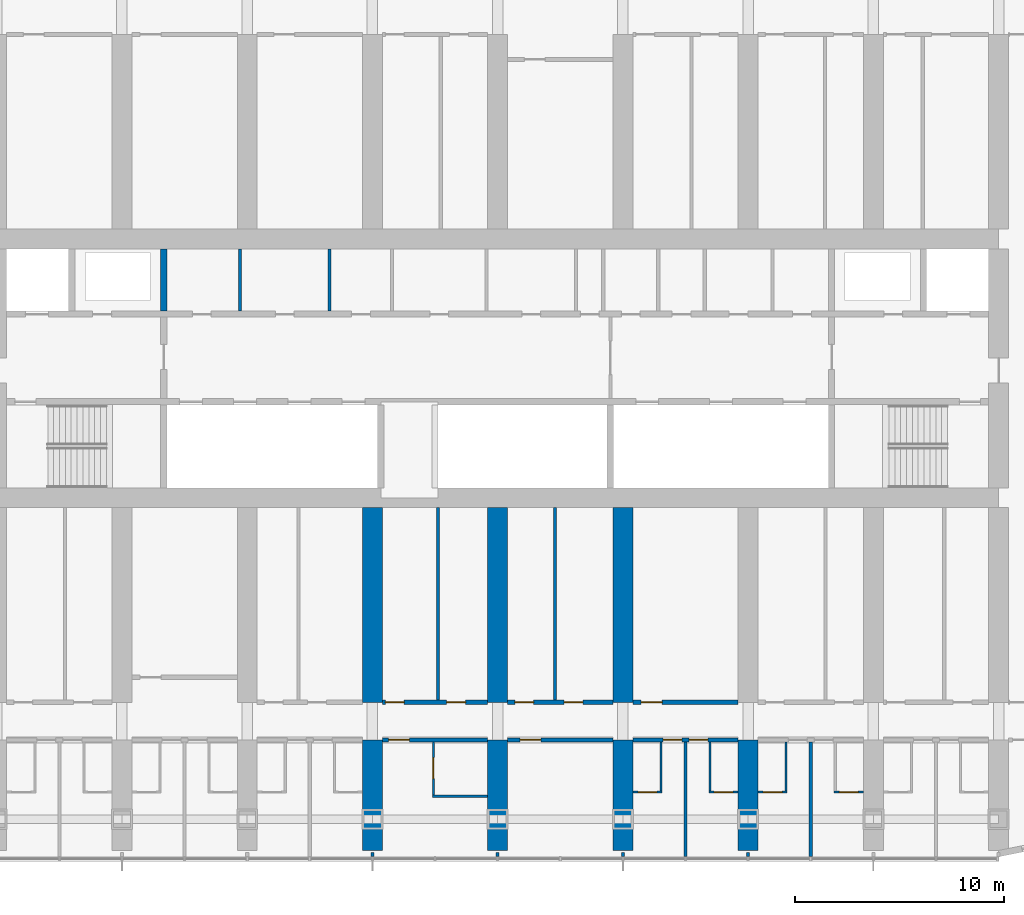
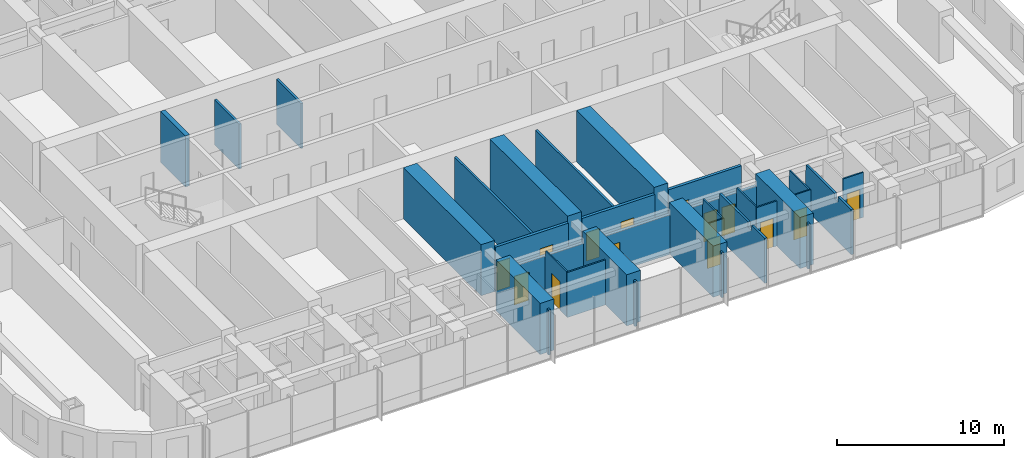
# One storey, part 10 of 22: 33 walls, 14 doors, 14 openings.
"""IFC4 building model written with IfcOpenShell, lengths in metres."""

from ifc_helpers import new_model, si_unit, direction, frame, frame_2d, origin, place, context, subcontext, project, spatial, polyline, rectangle, outline, extrude, material, layer, layer_set, type_object, element, fill, save


model = new_model("IFC4")

# Units and contexts
model_context = context("Model", 3, precision=1e-05, world=origin(), true_north=direction((0.0, 1.0)))
body_context = subcontext(model_context, "Body", "Model", "MODEL_VIEW")
ifc_project = project(units=[si_unit("LENGTHUNIT", "METRE"), si_unit("AREAUNIT", "SQUARE_METRE"), si_unit("VOLUMEUNIT", "CUBIC_METRE"), si_unit("PLANEANGLEUNIT", "RADIAN"), si_unit("MASSUNIT", "GRAM", prefix="KILO")], contexts=[model_context])

# Site, building, storey
site_placement = place(None, origin())
site = spatial("IfcSite", under=ifc_project, at=site_placement, CompositionType="ELEMENT")
building_placement = place(site_placement, origin())
building = spatial("IfcBuilding", under=site, at=building_placement, Name="Orbita Commons", CompositionType="ELEMENT")
storey_placement = place(building_placement, frame((0.0, 0.0, 80.64990234375)))
storey = spatial("IfcBuildingStorey", under=building, at=storey_placement, Name="L19", CompositionType="ELEMENT", Elevation=80.64990234375)

# Walls
ifc_material_1 = material(Name="Concrete C50/60", Category="concrete")
ifc_layer_1 = layer(ifc_material_1, 0.300048828125)
ifc_layer_set_1 = layer_set([ifc_layer_1], Name="Concrete C50/60")
wall_type_1 = type_object("IfcWallType", Name="Core inner wall 300 C50/60", PredefinedType="SHEAR", material=ifc_layer_set_1)
wall_1_placement = place(storey_placement, frame((26.0, 34.75, 0.0), z_axis=(0.0, 0.0, 1.0), x_axis=(0.0, 1.0, 0.0)))
element("IfcWall", 1, at=wall_1_placement, inside=storey, type_object=wall_type_1, Name="Riser wall west L19", PredefinedType="SHEAR", context=body_context, shape_type="SweptSolid", body=[
    extrude(rectangle(XDim=2.97509765625, YDim=0.300048828125, at=frame_2d((1.487548828125, 0.0))), origin(), (0.0, 0.0, 1.0), 3.75),
])
ifc_material_2 = material(Name="Concrete blockwork", Category="masonry")
ifc_layer_2 = layer(ifc_material_2, 0.14990234375)
ifc_layer_set_2 = layer_set([ifc_layer_2], Name="Concrete blockwork")
wall_type_2 = type_object("IfcWallType", Name="Core partition 150 blockwork", PredefinedType="SOLIDWALL", material=ifc_layer_set_2)
for number, where, z_axis, x_axis, name in (
    (2, (29.65087890625, 34.75, 0.0), (0.0, 0.0, 1.0), (0.0, 1.0, 0.0), "Core partition 150 blockwork L19"),
    (3, (33.9462890625, 34.75, 0.0), (0.0, 0.0, 1.0), (0.0, 1.0, 0.0), "Core partition 150 blockwork L19"),
):
    element("IfcWall", number, at=place(storey_placement, frame(where, z_axis=z_axis, x_axis=x_axis)), inside=storey, type_object=wall_type_2, Name=name, PredefinedType="SOLIDWALL", context=body_context, shape_type="SweptSolid", body=[
        extrude(rectangle(XDim=2.97509765625, YDim=0.14990234375, at=frame_2d((1.487548828125, 0.0))), origin(), (0.0, 0.0, 1.0), 3.300048828125),
    ])

# Wall, opening, door
ifc_material_3 = material(Name="Concrete blockwork", Category="masonry")
ifc_layer_3 = layer(ifc_material_3, 0.199951171875)
ifc_layer_set_3 = layer_set([ifc_layer_3], Name="Concrete blockwork")
wall_type_3 = type_object("IfcWallType", Name="Corridor wall 200 blockwork", PredefinedType="SOLIDWALL", material=ifc_layer_set_3)
wall_2_placement = place(storey_placement, frame((36.47509765625, 14.199951171875, 0.0), z_axis=(0.0, 0.0, 1.0), x_axis=(1.0, 0.0, 0.0)))
wall_2 = element("IfcWall", 4, at=wall_2_placement, inside=storey, type_object=wall_type_3, Name="Corridor wall 200 blockwork L19", PredefinedType="SOLIDWALL", context=body_context, shape_type="SweptSolid", body=[
    extrude(outline(polyline([(0.0, 0.0), (5.0498046875, 0.0), (5.050048828125, 2.900146484375), (0.0, 2.900146484375), (0.0, 0.0)])), frame((0.0, 0.10009765625, 0.0), z_axis=(0.0, -1.0, 0.0), x_axis=(1.0, 0.0, 0.0)), (0.0, 0.0, 1.0), 0.199951171875),
])
opening_1_placement = place(wall_2_placement, frame((0.300048828125, 0.0, 0.0)))
opening_1 = element("IfcOpeningElement", 5, at=opening_1_placement, cuts=wall_2, Name="Opening D06", PredefinedType="OPENING", context=body_context, shape_type="SweptSolid", body=[
    extrude(rectangle(XDim=1.0, YDim=2.10009765625, at=frame_2d((0.5, 1.050048828125))), frame((0.0, 0.10986328125, 0.0), z_axis=(0.0, -1.0, 0.0), x_axis=(1.0, 0.0, 0.0)), (0.0, 0.0, 1.0), 0.219970703125),
])
ifc_material_4 = material(Name="Steel-faced fire door leaf", Category="steel")
door_type_1 = type_object("IfcDoorType", Name="Corridor door 20 min 1000x2100", OperationType="SINGLE_SWING_LEFT", PredefinedType="DOOR", material=ifc_material_4)
door_1_placement = place(opening_1_placement, origin())
door_1 = element("IfcDoor", 6, at=door_1_placement, inside=storey, type_object=door_type_1, Name="Accessible bedroom L19-S08 door", OperationType="SINGLE_SWING_LEFT", OverallHeight=2.10009765625, OverallWidth=1.0, PredefinedType="DOOR", context=body_context, shape_type="SweptSolid", body=[
    extrude(rectangle(XDim=1.0, YDim=2.10009765625, at=frame_2d((0.5, 1.050048828125))), frame((0.0, 0.02490234375, 0.0), z_axis=(0.0, -1.0, 0.0), x_axis=(1.0, 0.0, 0.0)), (0.0, 0.0, 1.0), 0.050048828125),
])
fill(opening_1, door_1)

wall_3_placement = place(storey_placement, frame((42.47509765625, 14.199951171875, 0.0), z_axis=(0.0, 0.0, 1.0), x_axis=(1.0, 0.0, 0.0)))
wall_3 = element("IfcWall", 7, at=wall_3_placement, inside=storey, type_object=wall_type_3, Name="Corridor wall 200 blockwork L19", PredefinedType="SOLIDWALL", context=body_context, shape_type="SweptSolid", body=[
    extrude(outline(polyline([(0.0, 0.0), (5.0498046875, 0.0), (5.050048828125, 2.900146484375), (0.0, 2.900146484375), (0.0, 0.0)])), frame((0.0, 0.10009765625, 0.0), z_axis=(0.0, -1.0, 0.0), x_axis=(1.0, 0.0, 0.0)), (0.0, 0.0, 1.0), 0.199951171875),
])
opening_2_placement = place(wall_3_placement, frame((0.60009765625, 0.0, 0.0)))
opening_2 = element("IfcOpeningElement", 8, at=opening_2_placement, cuts=wall_3, Name="Opening D06", PredefinedType="OPENING", context=body_context, shape_type="SweptSolid", body=[
    extrude(rectangle(XDim=1.0, YDim=2.10009765625, at=frame_2d((0.5, 1.050048828125))), frame((0.0, 0.10986328125, 0.0), z_axis=(0.0, -1.0, 0.0), x_axis=(1.0, 0.0, 0.0)), (0.0, 0.0, 1.0), 0.219970703125),
])
door_2_placement = place(opening_2_placement, origin())
door_2 = element("IfcDoor", 9, at=door_2_placement, inside=storey, type_object=door_type_1, Name="Cluster kitchen-diner L19-S10 door", OperationType="SINGLE_SWING_LEFT", OverallHeight=2.10009765625, OverallWidth=1.0, PredefinedType="DOOR", context=body_context, shape_type="SweptSolid", body=[
    extrude(rectangle(XDim=1.0, YDim=2.10009765625, at=frame_2d((0.5, 1.050048828125))), frame((0.0, 0.02490234375, 0.0), z_axis=(0.0, -1.0, 0.0), x_axis=(1.0, 0.0, 0.0)), (0.0, 0.0, 1.0), 0.050048828125),
])
fill(opening_2, door_2)

# Wall, openings, doors
wall_4_placement = place(storey_placement, frame((48.47509765625, 14.199951171875, 0.0), z_axis=(0.0, 0.0, 1.0), x_axis=(1.0, 0.0, 0.0)))
wall_4 = element("IfcWall", 10, at=wall_4_placement, inside=storey, type_object=wall_type_3, Name="Corridor wall 200 blockwork L19", PredefinedType="SOLIDWALL", context=body_context, shape_type="SweptSolid", body=[
    extrude(outline(polyline([(0.0, 0.0), (5.0498046875, 0.0), (5.050048828125, 2.900146484375), (0.0, 2.900146484375), (0.0, 0.0)])), frame((0.0, 0.10009765625, 0.0), z_axis=(0.0, -1.0, 0.0), x_axis=(1.0, 0.0, 0.0)), (0.0, 0.0, 1.0), 0.199951171875),
])
opening_3_placement = place(wall_4_placement, frame((1.449951171875, 0.0, 0.0)))
opening_3 = element("IfcOpeningElement", 11, at=opening_3_placement, cuts=wall_4, Name="Opening D11", PredefinedType="OPENING", context=body_context, shape_type="SweptSolid", body=[
    extrude(rectangle(XDim=0.89990234375, YDim=2.10009765625, at=frame_2d((0.449951171875, 1.050048828125))), frame((0.0, 0.10986328125, 0.0), z_axis=(0.0, -1.0, 0.0), x_axis=(1.0, 0.0, 0.0)), (0.0, 0.0, 1.0), 0.219970703125),
])
opening_4_placement = place(wall_4_placement, frame((2.699951171875, 0.0, 0.0)))
opening_4 = element("IfcOpeningElement", 12, at=opening_4_placement, cuts=wall_4, Name="Opening D11", PredefinedType="OPENING", context=body_context, shape_type="SweptSolid", body=[
    extrude(rectangle(XDim=0.89990234375, YDim=2.10009765625, at=frame_2d((0.449951171875, 1.050048828125))), frame((0.0, 0.10986328125, 0.0), z_axis=(0.0, -1.0, 0.0), x_axis=(1.0, 0.0, 0.0)), (0.0, 0.0, 1.0), 0.219970703125),
])
ifc_material_5 = material(Name="Steel-faced fire door leaf", Category="steel")
door_type_2 = type_object("IfcDoorType", Name="Corridor door 20 min 900x2100", OperationType="SINGLE_SWING_LEFT", PredefinedType="DOOR", material=ifc_material_5)
door_3_placement = place(opening_3_placement, origin())
door_3 = element("IfcDoor", 13, at=door_3_placement, inside=storey, type_object=door_type_2, Name="Cluster bedroom L19-S12 door", OperationType="SINGLE_SWING_LEFT", OverallHeight=2.10009765625, OverallWidth=0.89990234375, PredefinedType="DOOR", context=body_context, shape_type="SweptSolid", body=[
    extrude(rectangle(XDim=0.89990234375, YDim=2.10009765625, at=frame_2d((0.449951171875, 1.050048828125))), frame((0.0, 0.02490234375, 0.0), z_axis=(0.0, -1.0, 0.0), x_axis=(1.0, 0.0, 0.0)), (0.0, 0.0, 1.0), 0.050048828125),
])
fill(opening_3, door_3)
door_4_placement = place(opening_4_placement, origin())
door_4 = element("IfcDoor", 14, at=door_4_placement, inside=storey, type_object=door_type_2, Name="Cluster bedroom L19-S13 door", OperationType="SINGLE_SWING_LEFT", OverallHeight=2.10009765625, OverallWidth=0.89990234375, PredefinedType="DOOR", context=body_context, shape_type="SweptSolid", body=[
    extrude(rectangle(XDim=0.89990234375, YDim=2.10009765625, at=frame_2d((0.449951171875, 1.050048828125))), frame((0.0, 0.02490234375, 0.0), z_axis=(0.0, -1.0, 0.0), x_axis=(1.0, 0.0, 0.0)), (0.0, 0.0, 1.0), 0.050048828125),
])
fill(opening_4, door_4)

ifc_material_6 = material(Name="Hollow concrete block 200", Category="concrete")
ifc_layer_4 = layer(ifc_material_6, 0.199951171875)
ifc_layer_set_4 = layer_set([ifc_layer_4], Name="Hollow concrete block 200")
wall_type_4 = type_object("IfcWallType", Name="Corridor wall 200 hollow concrete block", PredefinedType="SOLIDWALL", material=ifc_layer_set_4)
wall_5_placement = place(storey_placement, frame((36.47509765625, 16.0, 0.0), z_axis=(0.0, 0.0, 1.0), x_axis=(1.0, 0.0, 0.0)))
wall_5 = element("IfcWall", 15, at=wall_5_placement, inside=storey, type_object=wall_type_4, Name="Corridor wall 200 hollow concrete block L19", PredefinedType="SOLIDWALL", context=body_context, shape_type="SweptSolid", body=[
    extrude(rectangle(XDim=5.0498046875, YDim=0.199951171875, at=frame_2d((2.52490234375, 0.0))), origin(), (0.0, 0.0, 1.0), 3.300048828125),
])
opening_5_placement = place(wall_5_placement, frame((0.14990234375, 0.0, 0.0)))
opening_5 = element("IfcOpeningElement", 16, at=opening_5_placement, cuts=wall_5, Name="Opening D11", PredefinedType="OPENING", context=body_context, shape_type="SweptSolid", body=[
    extrude(rectangle(XDim=0.89990234375, YDim=2.10009765625, at=frame_2d((0.449951171875, 1.050048828125))), frame((0.0, 0.10986328125, 0.0), z_axis=(0.0, -1.0, 0.0), x_axis=(1.0, 0.0, 0.0)), (0.0, 0.0, 1.0), 0.219970703125),
])
opening_6_placement = place(wall_5_placement, frame((3.0849609375, 0.0, 0.0)))
opening_6 = element("IfcOpeningElement", 17, at=opening_6_placement, cuts=wall_5, Name="Opening D11", PredefinedType="OPENING", context=body_context, shape_type="SweptSolid", body=[
    extrude(rectangle(XDim=0.89990234375, YDim=2.10009765625, at=frame_2d((0.449951171875, 1.050048828125))), frame((0.0, 0.10986328125, 0.0), z_axis=(0.0, -1.0, 0.0), x_axis=(1.0, 0.0, 0.0)), (0.0, 0.0, 1.0), 0.219970703125),
])
door_5_placement = place(opening_5_placement, origin())
door_5 = element("IfcDoor", 18, at=door_5_placement, inside=storey, type_object=door_type_2, Name="Battery and UPS room L19-BDS36n door", OperationType="SINGLE_SWING_LEFT", OverallHeight=2.10009765625, OverallWidth=0.89990234375, PredefinedType="DOOR", context=body_context, shape_type="SweptSolid", body=[
    extrude(rectangle(XDim=0.89990234375, YDim=2.10009765625, at=frame_2d((0.449951171875, 1.050048828125))), frame((0.0, 0.02490234375, 0.0), z_axis=(0.0, -1.0, 0.0), x_axis=(1.0, 0.0, 0.0)), (0.0, 0.0, 1.0), 0.050048828125),
])
fill(opening_5, door_5)
door_6_placement = place(opening_6_placement, origin())
door_6 = element("IfcDoor", 19, at=door_6_placement, inside=storey, type_object=door_type_2, Name="Cluster pantry L19-BDS36 door", OperationType="SINGLE_SWING_LEFT", OverallHeight=2.10009765625, OverallWidth=0.89990234375, PredefinedType="DOOR", context=body_context, shape_type="SweptSolid", body=[
    extrude(rectangle(XDim=0.89990234375, YDim=2.10009765625, at=frame_2d((0.449951171875, 1.050048828125))), frame((0.0, 0.02490234375, 0.0), z_axis=(0.0, -1.0, 0.0), x_axis=(1.0, 0.0, 0.0)), (0.0, 0.0, 1.0), 0.050048828125),
])
fill(opening_6, door_6)

wall_6_placement = place(storey_placement, frame((42.47509765625, 16.0, 0.0), z_axis=(0.0, 0.0, 1.0), x_axis=(1.0, 0.0, 0.0)))
wall_6 = element("IfcWall", 20, at=wall_6_placement, inside=storey, type_object=wall_type_4, Name="Corridor wall 200 hollow concrete block L19", PredefinedType="SOLIDWALL", context=body_context, shape_type="SweptSolid", body=[
    extrude(rectangle(XDim=5.0498046875, YDim=0.199951171875, at=frame_2d((2.52490234375, 0.0))), origin(), (0.0, 0.0, 1.0), 3.300048828125),
])
opening_7_placement = place(wall_6_placement, frame((0.35009765625, 0.0, 0.0)))
opening_7 = element("IfcOpeningElement", 21, at=opening_7_placement, cuts=wall_6, Name="Opening D11", PredefinedType="OPENING", context=body_context, shape_type="SweptSolid", body=[
    extrude(rectangle(XDim=0.89990234375, YDim=2.10009765625, at=frame_2d((0.449951171875, 1.050048828125))), frame((0.0, 0.10986328125, 0.0), z_axis=(0.0, -1.0, 0.0), x_axis=(1.0, 0.0, 0.0)), (0.0, 0.0, 1.0), 0.219970703125),
])
opening_8_placement = place(wall_6_placement, frame((2.705078125, 0.0, 0.0)))
opening_8 = element("IfcOpeningElement", 22, at=opening_8_placement, cuts=wall_6, Name="Opening D11", PredefinedType="OPENING", context=body_context, shape_type="SweptSolid", body=[
    extrude(rectangle(XDim=0.89990234375, YDim=2.10009765625, at=frame_2d((0.449951171875, 1.050048828125))), frame((0.0, 0.10986328125, 0.0), z_axis=(0.0, -1.0, 0.0), x_axis=(1.0, 0.0, 0.0)), (0.0, 0.0, 1.0), 0.219970703125),
])
door_7_placement = place(opening_7_placement, origin())
door_7 = element("IfcDoor", 23, at=door_7_placement, inside=storey, type_object=door_type_2, Name="Sprinkler valve room L19-BDS42n door", OperationType="SINGLE_SWING_LEFT", OverallHeight=2.10009765625, OverallWidth=0.89990234375, PredefinedType="DOOR", context=body_context, shape_type="SweptSolid", body=[
    extrude(rectangle(XDim=0.89990234375, YDim=2.10009765625, at=frame_2d((0.449951171875, 1.050048828125))), frame((0.0, 0.02490234375, 0.0), z_axis=(0.0, -1.0, 0.0), x_axis=(1.0, 0.0, 0.0)), (0.0, 0.0, 1.0), 0.050048828125),
])
fill(opening_7, door_7)
door_8_placement = place(opening_8_placement, origin())
door_8 = element("IfcDoor", 24, at=door_8_placement, inside=storey, type_object=door_type_2, Name="Refuse and recycling room L19-BDS42 door", OperationType="SINGLE_SWING_LEFT", OverallHeight=2.10009765625, OverallWidth=0.89990234375, PredefinedType="DOOR", context=body_context, shape_type="SweptSolid", body=[
    extrude(rectangle(XDim=0.89990234375, YDim=2.10009765625, at=frame_2d((0.449951171875, 1.050048828125))), frame((0.0, 0.02490234375, 0.0), z_axis=(0.0, -1.0, 0.0), x_axis=(1.0, 0.0, 0.0)), (0.0, 0.0, 1.0), 0.050048828125),
])
fill(opening_8, door_8)

# Wall, opening, door
wall_7_placement = place(storey_placement, frame((48.47509765625, 16.0, 0.0), z_axis=(0.0, 0.0, 1.0), x_axis=(1.0, 0.0, 0.0)))
wall_7 = element("IfcWall", 25, at=wall_7_placement, inside=storey, type_object=wall_type_4, Name="Corridor wall 200 hollow concrete block L19", PredefinedType="SOLIDWALL", context=body_context, shape_type="SweptSolid", body=[
    extrude(rectangle(XDim=5.0498046875, YDim=0.199951171875, at=frame_2d((2.52490234375, 0.0))), origin(), (0.0, 0.0, 1.0), 3.300048828125),
])
opening_9_placement = place(wall_7_placement, frame((0.39990234375, 0.0, 0.0)))
opening_9 = element("IfcOpeningElement", 26, at=opening_9_placement, cuts=wall_7, Name="Opening D06", PredefinedType="OPENING", context=body_context, shape_type="SweptSolid", body=[
    extrude(rectangle(XDim=1.0, YDim=2.10009765625, at=frame_2d((0.5, 1.050048828125))), frame((0.0, 0.10986328125, 0.0), z_axis=(0.0, -1.0, 0.0), x_axis=(1.0, 0.0, 0.0)), (0.0, 0.0, 1.0), 0.219970703125),
])
door_9_placement = place(opening_9_placement, origin())
door_9 = element("IfcDoor", 27, at=door_9_placement, inside=storey, type_object=door_type_1, Name="Bulk and luggage store L19-BDS48 door", OperationType="SINGLE_SWING_LEFT", OverallHeight=2.10009765625, OverallWidth=1.0, PredefinedType="DOOR", context=body_context, shape_type="SweptSolid", body=[
    extrude(rectangle(XDim=1.0, YDim=2.10009765625, at=frame_2d((0.5, 1.050048828125))), frame((0.0, 0.02490234375, 0.0), z_axis=(0.0, -1.0, 0.0), x_axis=(1.0, 0.0, 0.0)), (0.0, 0.0, 1.0), 0.050048828125),
])
fill(opening_9, door_9)

# Walls
ifc_material_7 = material(Name="Concrete C50/60", Category="concrete")
ifc_layer_5 = layer(ifc_material_7, 0.949951171875)
ifc_layer_set_5 = layer_set([ifc_layer_5], Name="Concrete C50/60")
wall_type_5 = type_object("IfcWallType", Name="Cross wall 950 C50/60", PredefinedType="SHEAR", material=ifc_layer_set_5)
wall_8_placement = place(storey_placement, frame((36.0, 8.89990234375, 0.0), z_axis=(0.0, 0.0, 1.0), x_axis=(0.0, 1.0, 0.0)))
element("IfcWall", 28, at=wall_8_placement, inside=storey, type_object=wall_type_5, Name="Cross wall 7 south outer L19", PredefinedType="SHEAR", context=body_context, shape_type="SweptSolid", body=[
    extrude(rectangle(XDim=5.300048828125, YDim=0.949951171875, at=frame_2d((2.64990234375, 0.0))), origin(), (0.0, 0.0, 1.0), 3.75),
])
wall_9_placement = place(storey_placement, frame((36.0, 16.0, 0.0), z_axis=(0.0, 0.0, 1.0), x_axis=(0.0, 1.0, 0.0)))
element("IfcWall", 29, at=wall_9_placement, inside=storey, type_object=wall_type_5, Name="Cross wall 7 south inner L19", PredefinedType="SHEAR", context=body_context, shape_type="SweptSolid", body=[
    extrude(rectangle(XDim=9.324951171875, YDim=0.949951171875, at=frame_2d((4.66259765625, 0.0))), origin(), (0.0, 0.0, 1.0), 3.75),
])
wall_10_placement = place(storey_placement, frame((42.0, 8.89990234375, 0.0), z_axis=(0.0, 0.0, 1.0), x_axis=(0.0, 1.0, 0.0)))
element("IfcWall", 30, at=wall_10_placement, inside=storey, type_object=wall_type_5, Name="Cross wall 8 south outer L19", PredefinedType="SHEAR", context=body_context, shape_type="SweptSolid", body=[
    extrude(rectangle(XDim=5.300048828125, YDim=0.949951171875, at=frame_2d((2.64990234375, 0.0))), origin(), (0.0, 0.0, 1.0), 3.75),
])
wall_11_placement = place(storey_placement, frame((42.0, 16.0, 0.0), z_axis=(0.0, 0.0, 1.0), x_axis=(0.0, 1.0, 0.0)))
element("IfcWall", 31, at=wall_11_placement, inside=storey, type_object=wall_type_5, Name="Cross wall 8 south inner L19", PredefinedType="SHEAR", context=body_context, shape_type="SweptSolid", body=[
    extrude(rectangle(XDim=9.324951171875, YDim=0.949951171875, at=frame_2d((4.66259765625, 0.0))), origin(), (0.0, 0.0, 1.0), 3.75),
])
wall_12_placement = place(storey_placement, frame((48.0, 8.89990234375, 0.0), z_axis=(0.0, 0.0, 1.0), x_axis=(0.0, 1.0, 0.0)))
element("IfcWall", 32, at=wall_12_placement, inside=storey, type_object=wall_type_5, Name="Cross wall 9 south outer L19", PredefinedType="SHEAR", context=body_context, shape_type="SweptSolid", body=[
    extrude(rectangle(XDim=5.300048828125, YDim=0.949951171875, at=frame_2d((2.64990234375, 0.0))), origin(), (0.0, 0.0, 1.0), 3.75),
])
wall_13_placement = place(storey_placement, frame((48.0, 16.0, 0.0), z_axis=(0.0, 0.0, 1.0), x_axis=(0.0, 1.0, 0.0)))
element("IfcWall", 33, at=wall_13_placement, inside=storey, type_object=wall_type_5, Name="Cross wall 9 south inner L19", PredefinedType="SHEAR", context=body_context, shape_type="SweptSolid", body=[
    extrude(rectangle(XDim=9.324951171875, YDim=0.949951171875, at=frame_2d((4.66259765625, 0.0))), origin(), (0.0, 0.0, 1.0), 3.75),
])
wall_14_placement = place(storey_placement, frame((54.0, 8.89990234375, 0.0), z_axis=(0.0, 0.0, 1.0), x_axis=(0.0, 1.0, 0.0)))
element("IfcWall", 34, at=wall_14_placement, inside=storey, type_object=wall_type_5, Name="Cross wall 10 south outer L19", PredefinedType="SHEAR", context=body_context, shape_type="SweptSolid", body=[
    extrude(rectangle(XDim=5.300048828125, YDim=0.949951171875, at=frame_2d((2.64990234375, 0.0))), origin(), (0.0, 0.0, 1.0), 3.75),
])
ifc_material_8 = material(Name="Moisture-resistant plasterboard on steel studs", Category="steel")
ifc_layer_6 = layer(ifc_material_8, 0.10009765625)
ifc_layer_set_6 = layer_set([ifc_layer_6], Name="Moisture-resistant plasterboard on steel studs")
wall_type_6 = type_object("IfcWallType", Name="En-suite partition 100", PredefinedType="PARTITIONING", material=ifc_layer_set_6)
wall_15_placement = place(storey_placement, frame((38.875, 11.5, 0.0), z_axis=(0.0, 0.0, 1.0), x_axis=(1.0, 0.0, 0.0)))
element("IfcWall", 35, at=wall_15_placement, inside=storey, type_object=wall_type_6, Name="En-suite partition 100 L19", PredefinedType="PARTITIONING", context=body_context, shape_type="SweptSolid", body=[
    extrude(rectangle(XDim=2.64990234375, YDim=0.10009765625, at=frame_2d((1.324951171875, 0.0))), origin(), (0.0, 0.0, 1.0), 3.300048828125),
])

# Wall, opening, door
wall_16_placement = place(storey_placement, frame((38.925048828125, 11.550048828125, 0.0), z_axis=(0.0, 0.0, 1.0), x_axis=(0.0, 1.0, 0.0)))
wall_16 = element("IfcWall", 36, at=wall_16_placement, inside=storey, type_object=wall_type_6, Name="En-suite partition 100 L19", PredefinedType="PARTITIONING", context=body_context, shape_type="SweptSolid", body=[
    extrude(outline(polyline([(0.0, 0.0), (2.550048828125, 0.0), (2.550048828125, 2.900146484375), (2.501953125, 2.900146484375), (2.5, 3.300048828125), (0.0, 3.300048828125), (0.0, 0.0)])), frame((0.0, 0.050048828125, 0.0), z_axis=(0.0, -1.0, 0.0), x_axis=(1.0, 0.0, 0.0)), (0.0, 0.0, 1.0), 0.10009765625),
])
opening_10_placement = place(wall_16_placement, frame((0.800048828125, 0.0, 0.0)))
opening_10 = element("IfcOpeningElement", 37, at=opening_10_placement, cuts=wall_16, Name="Opening D13", PredefinedType="OPENING", context=body_context, shape_type="SweptSolid", body=[
    extrude(rectangle(XDim=1.0, YDim=2.10009765625, at=frame_2d((0.5, 1.050048828125))), frame((0.0, 0.06005859375, 0.0), z_axis=(0.0, -1.0, 0.0), x_axis=(1.0, 0.0, 0.0)), (0.0, 0.0, 1.0), 0.1201171875),
])
ifc_material_9 = material(Name="Laminated timber door leaf", Category="wood")
door_type_3 = type_object("IfcDoorType", Name="En-suite door 1000x2100", OperationType="SINGLE_SWING_RIGHT", PredefinedType="DOOR", material=ifc_material_9)
door_10_placement = place(opening_10_placement, origin())
door_10 = element("IfcDoor", 38, at=door_10_placement, inside=storey, type_object=door_type_3, Name="Accessible shower room L19-S08 door", OperationType="SINGLE_SWING_RIGHT", OverallHeight=2.10009765625, OverallWidth=1.0, PredefinedType="DOOR", context=body_context, shape_type="SweptSolid", body=[
    extrude(rectangle(XDim=1.0, YDim=2.10009765625, at=frame_2d((0.5, 1.050048828125))), frame((0.0, 0.02490234375, 0.0), z_axis=(0.0, -1.0, 0.0), x_axis=(1.0, 0.0, 0.0)), (0.0, 0.0, 1.0), 0.050048828125),
])
fill(opening_10, door_10)

wall_17_placement = place(storey_placement, frame((49.875, 11.699951171875, 0.0), z_axis=(0.0, 0.0, 1.0), x_axis=(-1.0, 0.0, 0.0)))
wall_17 = element("IfcWall", 39, at=wall_17_placement, inside=storey, type_object=wall_type_6, Name="En-suite partition 100 L19", PredefinedType="PARTITIONING", context=body_context, shape_type="SweptSolid", body=[
    extrude(rectangle(XDim=1.39990234375, YDim=0.10009765625, at=frame_2d((0.699951171875, 0.0))), origin(), (0.0, 0.0, 1.0), 3.300048828125),
])
opening_11_placement = place(wall_17_placement, frame((0.25, 0.0, 0.0)))
opening_11 = element("IfcOpeningElement", 40, at=opening_11_placement, cuts=wall_17, Name="Opening D09", PredefinedType="OPENING", context=body_context, shape_type="SweptSolid", body=[
    extrude(rectangle(XDim=0.89990234375, YDim=2.10009765625, at=frame_2d((0.449951171875, 1.050048828125))), frame((0.0, 0.06005859375, 0.0), z_axis=(0.0, -1.0, 0.0), x_axis=(1.0, 0.0, 0.0)), (0.0, 0.0, 1.0), 0.1201171875),
])
ifc_material_10 = material(Name="Laminated timber door leaf", Category="wood")
door_type_4 = type_object("IfcDoorType", Name="En-suite door 900x2100", OperationType="SINGLE_SWING_RIGHT", PredefinedType="DOOR", material=ifc_material_10)
door_11_placement = place(opening_11_placement, origin())
door_11 = element("IfcDoor", 41, at=door_11_placement, inside=storey, type_object=door_type_4, Name="En-suite L19-S12 door", OperationType="SINGLE_SWING_RIGHT", OverallHeight=2.10009765625, OverallWidth=0.89990234375, PredefinedType="DOOR", context=body_context, shape_type="SweptSolid", body=[
    extrude(rectangle(XDim=0.89990234375, YDim=2.10009765625, at=frame_2d((0.449951171875, 1.050048828125))), frame((0.0, 0.02490234375, 0.0), z_axis=(0.0, -1.0, 0.0), x_axis=(1.0, 0.0, 0.0)), (0.0, 0.0, 1.0), 0.050048828125),
])
fill(opening_11, door_11)

# Wall
wall_18_placement = place(storey_placement, frame((49.824951171875, 11.75, 0.0), z_axis=(0.0, 0.0, 1.0), x_axis=(0.0, 1.0, 0.0)))
element("IfcWall", 42, at=wall_18_placement, inside=storey, type_object=wall_type_6, Name="En-suite partition 100 L19", PredefinedType="PARTITIONING", context=body_context, shape_type="SweptSolid", body=[
    extrude(outline(polyline([(0.0, 0.0), (2.35009765625, 0.0), (2.35009765625, 2.900146484375), (2.302001953125, 2.900146484375), (2.300048828125, 3.300048828125), (0.0, 3.300048828125), (0.0, 0.0)])), frame((0.0, 0.050048828125, 0.0), z_axis=(0.0, -1.0, 0.0), x_axis=(1.0, 0.0, 0.0)), (0.0, 0.0, 1.0), 0.10009765625),
])

# Wall, opening, door
wall_19_placement = place(storey_placement, frame((53.52490234375, 11.699951171875, 0.0), z_axis=(0.0, 0.0, 1.0), x_axis=(-1.0, 0.0, 0.0)))
wall_19 = element("IfcWall", 43, at=wall_19_placement, inside=storey, type_object=wall_type_6, Name="En-suite partition 100 L19", PredefinedType="PARTITIONING", context=body_context, shape_type="SweptSolid", body=[
    extrude(rectangle(XDim=1.39990234375, YDim=0.10009765625, at=frame_2d((0.699951171875, 0.0))), origin(), (0.0, 0.0, 1.0), 3.300048828125),
])
opening_12_placement = place(wall_19_placement, frame((0.25, 0.0, 0.0)))
opening_12 = element("IfcOpeningElement", 44, at=opening_12_placement, cuts=wall_19, Name="Opening D09", PredefinedType="OPENING", context=body_context, shape_type="SweptSolid", body=[
    extrude(rectangle(XDim=0.89990234375, YDim=2.10009765625, at=frame_2d((0.449951171875, 1.050048828125))), frame((0.0, 0.06005859375, 0.0), z_axis=(0.0, -1.0, 0.0), x_axis=(1.0, 0.0, 0.0)), (0.0, 0.0, 1.0), 0.1201171875),
])
door_12_placement = place(opening_12_placement, origin())
door_12 = element("IfcDoor", 45, at=door_12_placement, inside=storey, type_object=door_type_4, Name="En-suite L19-S13 door", OperationType="SINGLE_SWING_RIGHT", OverallHeight=2.10009765625, OverallWidth=0.89990234375, PredefinedType="DOOR", context=body_context, shape_type="SweptSolid", body=[
    extrude(rectangle(XDim=0.89990234375, YDim=2.10009765625, at=frame_2d((0.449951171875, 1.050048828125))), frame((0.0, 0.02490234375, 0.0), z_axis=(0.0, -1.0, 0.0), x_axis=(1.0, 0.0, 0.0)), (0.0, 0.0, 1.0), 0.050048828125),
])
fill(opening_12, door_12)

# Wall
wall_20_placement = place(storey_placement, frame((52.175048828125, 11.75, 0.0), z_axis=(0.0, 0.0, 1.0), x_axis=(0.0, 1.0, 0.0)))
element("IfcWall", 46, at=wall_20_placement, inside=storey, type_object=wall_type_6, Name="En-suite partition 100 L19", PredefinedType="PARTITIONING", context=body_context, shape_type="SweptSolid", body=[
    extrude(outline(polyline([(0.0, 0.0), (2.35009765625, 0.0), (2.35009765625, 2.900146484375), (2.302001953125, 2.900146484375), (2.300048828125, 3.300048828125), (0.0, 3.300048828125), (0.0, 0.0)])), frame((0.0, 0.050048828125, 0.0), z_axis=(0.0, -1.0, 0.0), x_axis=(1.0, 0.0, 0.0)), (0.0, 0.0, 1.0), 0.10009765625),
])

# Wall, opening, door
wall_21_placement = place(storey_placement, frame((55.875, 11.699951171875, 0.0), z_axis=(0.0, 0.0, 1.0), x_axis=(-1.0, 0.0, 0.0)))
wall_21 = element("IfcWall", 47, at=wall_21_placement, inside=storey, type_object=wall_type_6, Name="En-suite partition 100 L19", PredefinedType="PARTITIONING", context=body_context, shape_type="SweptSolid", body=[
    extrude(rectangle(XDim=1.39990234375, YDim=0.10009765625, at=frame_2d((0.699951171875, 0.0))), origin(), (0.0, 0.0, 1.0), 3.300048828125),
])
opening_13_placement = place(wall_21_placement, frame((0.25, 0.0, 0.0)))
opening_13 = element("IfcOpeningElement", 48, at=opening_13_placement, cuts=wall_21, Name="Opening D09", PredefinedType="OPENING", context=body_context, shape_type="SweptSolid", body=[
    extrude(rectangle(XDim=0.89990234375, YDim=2.10009765625, at=frame_2d((0.449951171875, 1.050048828125))), frame((0.0, 0.06005859375, 0.0), z_axis=(0.0, -1.0, 0.0), x_axis=(1.0, 0.0, 0.0)), (0.0, 0.0, 1.0), 0.1201171875),
])
door_13_placement = place(opening_13_placement, origin())
door_13 = element("IfcDoor", 49, at=door_13_placement, inside=storey, type_object=door_type_4, Name="En-suite L19-S14 door", OperationType="SINGLE_SWING_RIGHT", OverallHeight=2.10009765625, OverallWidth=0.89990234375, PredefinedType="DOOR", context=body_context, shape_type="SweptSolid", body=[
    extrude(rectangle(XDim=0.89990234375, YDim=2.10009765625, at=frame_2d((0.449951171875, 1.050048828125))), frame((0.0, 0.02490234375, 0.0), z_axis=(0.0, -1.0, 0.0), x_axis=(1.0, 0.0, 0.0)), (0.0, 0.0, 1.0), 0.050048828125),
])
fill(opening_13, door_13)

# Wall
wall_22_placement = place(storey_placement, frame((55.824951171875, 11.75, 0.0), z_axis=(0.0, 0.0, 1.0), x_axis=(0.0, 1.0, 0.0)))
element("IfcWall", 50, at=wall_22_placement, inside=storey, type_object=wall_type_6, Name="En-suite partition 100 L19", PredefinedType="PARTITIONING", context=body_context, shape_type="SweptSolid", body=[
    extrude(outline(polyline([(0.0, 0.0), (2.35009765625, 0.0), (2.35009765625, 2.900146484375), (2.302001953125, 2.900146484375), (2.300048828125, 3.300048828125), (0.0, 3.300048828125), (0.0, 0.0)])), frame((0.0, 0.050048828125, 0.0), z_axis=(0.0, -1.0, 0.0), x_axis=(1.0, 0.0, 0.0)), (0.0, 0.0, 1.0), 0.10009765625),
])

# Wall, opening, door
wall_23_placement = place(storey_placement, frame((59.52490234375, 11.699951171875, 0.0), z_axis=(0.0, 0.0, 1.0), x_axis=(-1.0, 0.0, 0.0)))
wall_23 = element("IfcWall", 51, at=wall_23_placement, inside=storey, type_object=wall_type_6, Name="En-suite partition 100 L19", PredefinedType="PARTITIONING", context=body_context, shape_type="SweptSolid", body=[
    extrude(rectangle(XDim=1.39990234375, YDim=0.10009765625, at=frame_2d((0.699951171875, 0.0))), origin(), (0.0, 0.0, 1.0), 3.300048828125),
])
opening_14_placement = place(wall_23_placement, frame((0.25, 0.0, 0.0)))
opening_14 = element("IfcOpeningElement", 52, at=opening_14_placement, cuts=wall_23, Name="Opening D09", PredefinedType="OPENING", context=body_context, shape_type="SweptSolid", body=[
    extrude(rectangle(XDim=0.89990234375, YDim=2.10009765625, at=frame_2d((0.449951171875, 1.050048828125))), frame((0.0, 0.06005859375, 0.0), z_axis=(0.0, -1.0, 0.0), x_axis=(1.0, 0.0, 0.0)), (0.0, 0.0, 1.0), 0.1201171875),
])
door_14_placement = place(opening_14_placement, origin())
door_14 = element("IfcDoor", 53, at=door_14_placement, inside=storey, type_object=door_type_4, Name="En-suite L19-S15 door", OperationType="SINGLE_SWING_RIGHT", OverallHeight=2.10009765625, OverallWidth=0.89990234375, PredefinedType="DOOR", context=body_context, shape_type="SweptSolid", body=[
    extrude(rectangle(XDim=0.89990234375, YDim=2.10009765625, at=frame_2d((0.449951171875, 1.050048828125))), frame((0.0, 0.02490234375, 0.0), z_axis=(0.0, -1.0, 0.0), x_axis=(1.0, 0.0, 0.0)), (0.0, 0.0, 1.0), 0.050048828125),
])
fill(opening_14, door_14)

# Walls
ifc_material_11 = material(Name="Gypsum plasterboard on steel studs", Category="steel")
ifc_layer_7 = layer(ifc_material_11, 0.14990234375)
ifc_layer_set_7 = layer_set([ifc_layer_7], Name="Gypsum plasterboard on steel studs")
wall_type_7 = type_object("IfcWallType", Name="Partition 150 plasterboard", PredefinedType="PARTITIONING", material=ifc_layer_set_7)
for number, where, z_axis, x_axis, name in (
    (54, (39.135009765625, 16.10009765625, 0.0), (0.0, 0.0, 1.0), (0.0, 1.0, 0.0), "Partition 150 plasterboard L19"),
    (55, (44.7548828125, 16.10009765625, 0.0), (0.0, 0.0, 1.0), (0.0, 1.0, 0.0), "Partition 150 plasterboard L19"),
):
    element("IfcWall", number, at=place(storey_placement, frame(where, z_axis=z_axis, x_axis=x_axis)), inside=storey, type_object=wall_type_7, Name=name, PredefinedType="PARTITIONING", context=body_context, shape_type="SweptSolid", body=[
        extrude(rectangle(XDim=9.224853515625, YDim=0.14990234375, at=frame_2d((4.6123046875, 0.0))), origin(), (0.0, 0.0, 1.0), 3.300048828125),
    ])
for number, where, z_axis, x_axis, name in (
    (56, (36.0, 8.800048828125, 0.0), (0.0, 0.0, 1.0), (0.0, -1.0, 0.0), "Partition 150 plasterboard L19"),
    (57, (42.0, 8.800048828125, 0.0), (0.0, 0.0, 1.0), (0.0, -1.0, 0.0), "Partition 150 plasterboard L19"),
    (58, (48.0, 8.800048828125, 0.0), (0.0, 0.0, 1.0), (0.0, -1.0, 0.0), "Partition 150 plasterboard L19"),
    (59, (54.0, 8.800048828125, 0.0), (0.0, 0.0, 1.0), (0.0, -1.0, 0.0), "Partition 150 plasterboard L19"),
):
    element("IfcWall", number, at=place(storey_placement, frame(where, z_axis=z_axis, x_axis=x_axis)), inside=storey, type_object=wall_type_7, Name=name, PredefinedType="PARTITIONING", context=body_context, shape_type="SweptSolid", body=[
        extrude(rectangle(XDim=0.18994140625, YDim=0.14990234375, at=frame_2d((0.094970703125, 0.0))), origin(), (0.0, 0.0, 1.0), 3.300048828125),
    ])
ifc_material_12 = material(Name="Gypsum plasterboard on steel studs", Category="steel")
ifc_layer_8 = layer(ifc_material_12, 0.14990234375)
ifc_layer_set_8 = layer_set([ifc_layer_8], Name="Gypsum plasterboard on steel studs")
wall_type_8 = type_object("IfcWallType", Name="Party wall 150 plasterboard", PredefinedType="PARTITIONING", material=ifc_layer_set_8)
for number, where, z_axis, x_axis, name in (
    (60, (51.0, 8.610107421875, 0.0), (0.0, 0.0, 1.0), (0.0, 1.0, 0.0), "Party wall 150 plasterboard L19"),
    (61, (57.0, 8.610107421875, 0.0), (0.0, 0.0, 1.0), (0.0, 1.0, 0.0), "Party wall 150 plasterboard L19"),
):
    element("IfcWall", number, at=place(storey_placement, frame(where, z_axis=z_axis, x_axis=x_axis)), inside=storey, type_object=wall_type_8, Name=name, PredefinedType="PARTITIONING", context=body_context, shape_type="SweptSolid", body=[
        extrude(outline(polyline([(0.0, 0.0), (5.489990234375, 0.0), (5.489990234375, 2.900146484375), (5.44189453125, 2.900146484375), (5.43994140625, 3.300048828125), (1.991943359375, 3.300048828125), (1.989990234375, 2.900146484375), (1.592041015625, 2.900146484375), (1.590087890625, 3.300048828125), (0.0, 3.300048828125), (0.0, 0.0)])), frame((0.0, 0.074951171875, 0.0), z_axis=(0.0, -1.0, 0.0), x_axis=(1.0, 0.0, 0.0)), (0.0, 0.0, 1.0), 0.14990234375),
    ])

save(model, "model.ifc")
